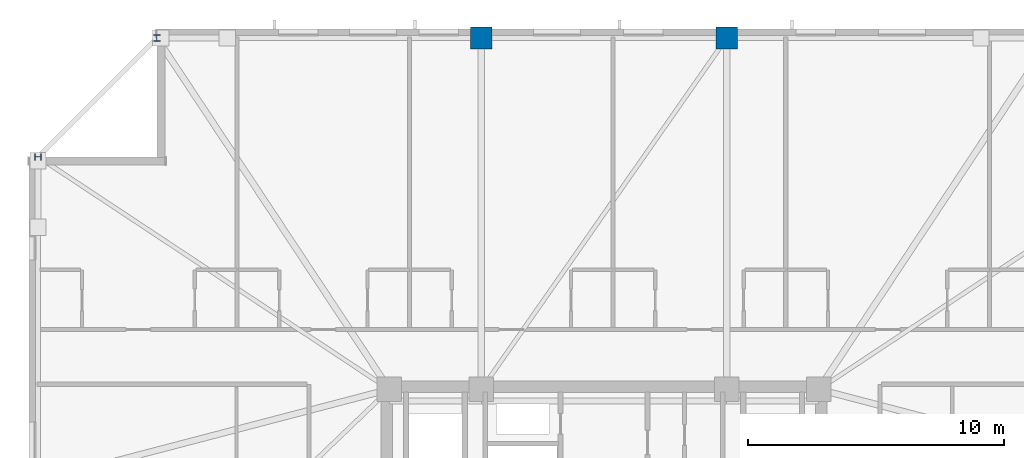
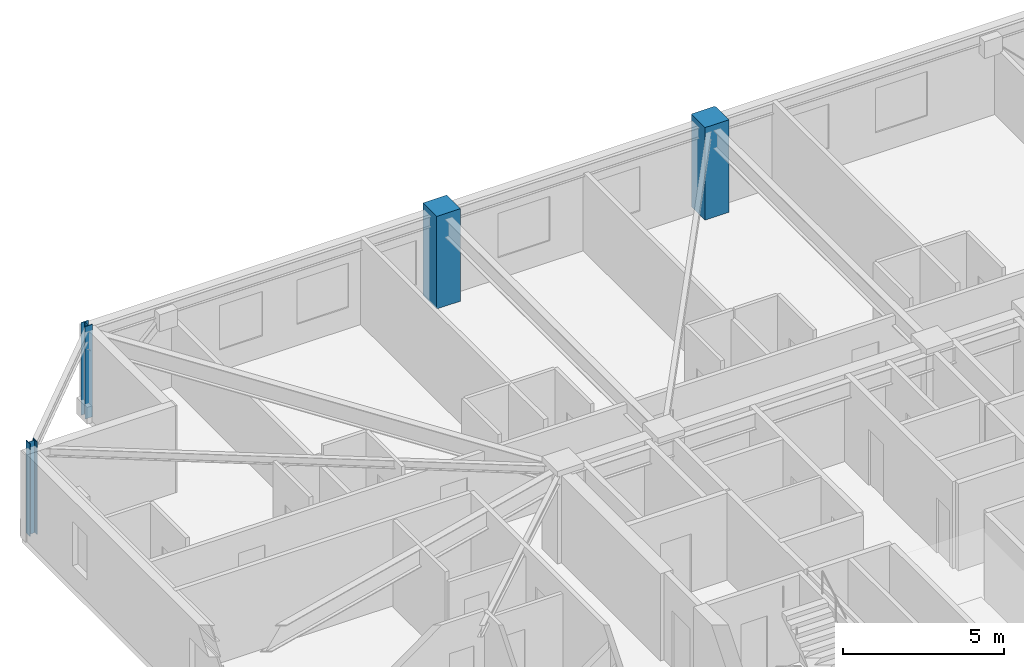
# One storey, part 4 of 17: 4 columns.
"""IFC4 building model written with IfcOpenShell, lengths in metres."""

from ifc_helpers import new_model, si_unit, direction, frame, origin, origin_2d, place, context, subcontext, project, spatial, rectangle, i_section, extrude, material, material_profile, profile_set, type_object, element, save


model = new_model("IFC4")

# Units and contexts
model_context = context("Model", 3, precision=1e-05, world=origin(), true_north=direction((0.0, 1.0)))
body_context = subcontext(model_context, "Body", "Model", "MODEL_VIEW")
ifc_project = project(units=[si_unit("LENGTHUNIT", "METRE"), si_unit("AREAUNIT", "SQUARE_METRE"), si_unit("VOLUMEUNIT", "CUBIC_METRE"), si_unit("PLANEANGLEUNIT", "RADIAN"), si_unit("MASSUNIT", "GRAM", prefix="KILO")], contexts=[model_context])

# Site, building, storey
site_placement = place(None, origin())
site = spatial("IfcSite", under=ifc_project, at=site_placement, CompositionType="ELEMENT")
building_placement = place(site_placement, origin())
building = spatial("IfcBuilding", under=site, at=building_placement, Name="Cairnveth Concourse Tower", CompositionType="ELEMENT")
storey_placement = place(building_placement, frame((0.0, 0.0, 248.0)))
storey = spatial("IfcBuildingStorey", under=building, at=storey_placement, Name="L68", CompositionType="ELEMENT", Elevation=248.0)

# Columns
ifc_material_1 = material(Name="Concrete N65 (65 MPa)", Category="concrete")
ifc_material_profile_1 = material_profile(ifc_material_1, rectangle(XDim=0.85009765625, YDim=0.85009765625, at=origin_2d()), Name="RC-COL-850x850")
ifc_profile_set_1 = profile_set([ifc_material_profile_1], Name="Concrete N65 (65 MPa)")
column_type_1 = type_object("IfcColumnType", Name="PERIMETER PIER COLUMN 850X850", PredefinedType="COLUMN", material=ifc_profile_set_1)
for number, where, z_axis, x_axis, name in (
    (1, (56.800048828125, 61.14990234375, 0.0), (0.0, 0.0, 1.0), (1.0, 0.0, 0.0), "Column P-N2 L68"),
    (2, (47.199951171875, 61.14990234375, 0.0), (0.0, 0.0, 1.0), (1.0, 0.0, 0.0), "Column P-N3 L68"),
):
    element("IfcColumn", number, at=place(storey_placement, frame(where, z_axis=z_axis, x_axis=x_axis)), inside=storey, type_object=column_type_1, Name=name, PredefinedType="COLUMN", context=body_context, shape_type="SweptSolid", body=[
        extrude(rectangle(XDim=0.85009765625, YDim=0.85009765625, at=origin_2d()), origin(), (0.0, 0.0, 1.0), 3.5),
    ])
ifc_material_2 = material(Name="Steel Grade 350", Category="steel")
ifc_material_profile_2 = material_profile(ifc_material_2, i_section(OverallWidth=0.256103515625, OverallDepth=0.260009765625, WebThickness=0.010498046875, FlangeThickness=0.017333984375, FilletRadius=0.012939453125, at=origin_2d()), Name="250UC89.5")
ifc_profile_set_2 = profile_set([ifc_material_profile_2], Name="Steel Grade 350")
column_type_2 = type_object("IfcColumnType", Name="UNIVERSAL STEEL COLUMN 250UC89.5", PredefinedType="COLUMN", material=ifc_profile_set_2)
for number, where, z_axis, x_axis, name in (
    (3, (34.5, 61.14990234375, 0.0), (0.0, 0.0, 1.0), (1.0, 0.0, 0.0), "Column P-N4 L68"),
    (4, (29.85009765625, 56.5, 0.0), (0.0, 0.0, 1.0), (0.0, 1.0, 0.0), "Column P-W1 L68"),
):
    element("IfcColumn", number, at=place(storey_placement, frame(where, z_axis=z_axis, x_axis=x_axis)), inside=storey, type_object=column_type_2, Name=name, PredefinedType="COLUMN", context=body_context, shape_type="SweptSolid", body=[
        extrude(i_section(OverallWidth=0.256103515625, OverallDepth=0.260009765625, WebThickness=0.010498046875, FlangeThickness=0.017333984375, FilletRadius=0.012939453125, at=origin_2d()), origin(), (0.0, 0.0, 1.0), 3.5),
    ])

save(model, "model.ifc")
